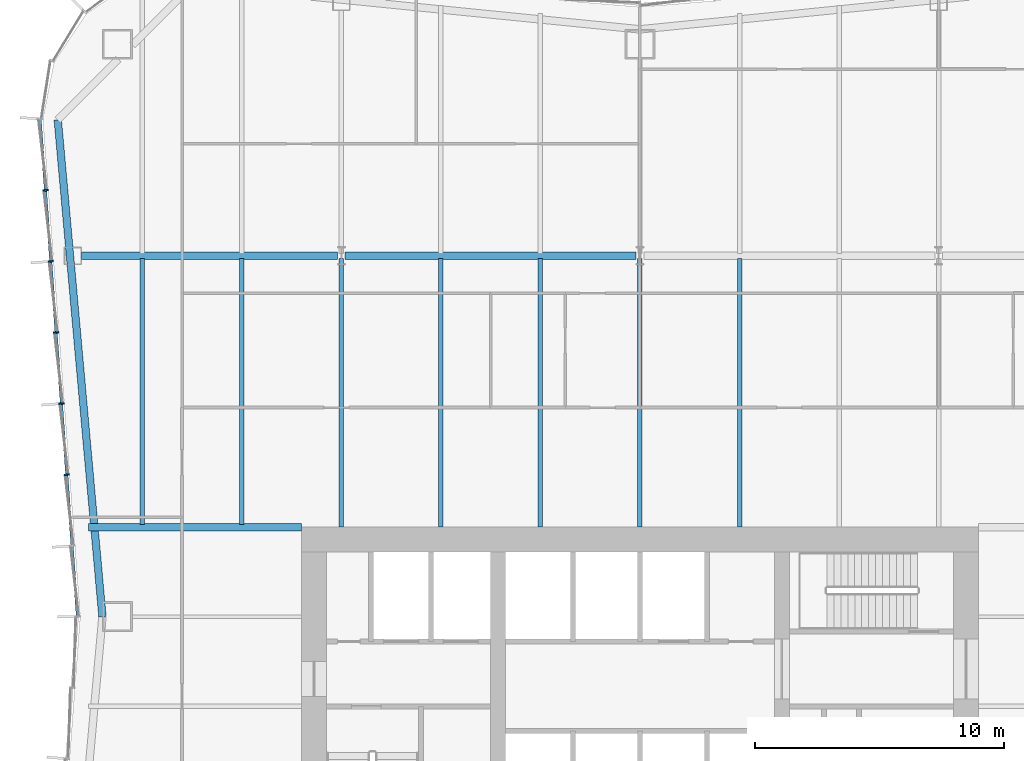
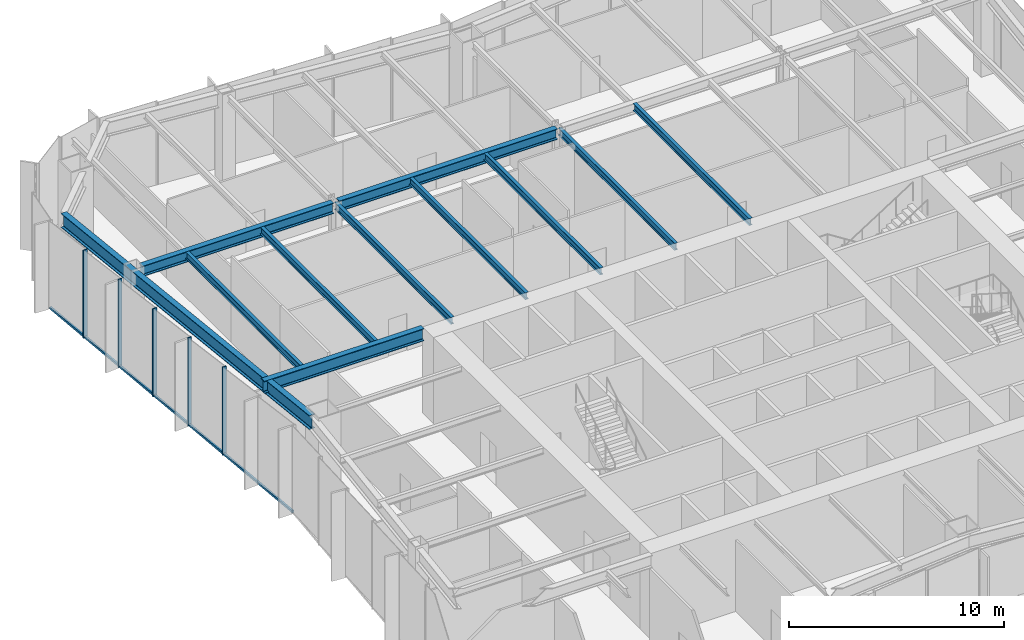
# One storey, part 4 of 15: 11 beams, 6 members, 1 element without a shape of its own.
"""IFC4 building model written with IfcOpenShell, lengths in metres."""

import ifcopenshell
import ifcopenshell.guid

model = None  # the IFC model being written
_history = None  # IfcOwnerHistory: only IFC2X3 demands one
_inside = {}  # id of a spatial element -> (the spatial element, [elements in it])
_under = {}  # id of a project, library or spatial element -> (it, [spatial elements below it])
_declared = {}  # id of a project -> (the project, [libraries it declares])
_typed = {}  # id of a type object -> (the type object, [elements of that type])
_made_of = {}  # id of a material, layer set ... -> (it, [elements and type objects made of it])


def new_model(schema):
    """Start an empty IFC model of exactly this schema.

    Asked for "IFC4X3", IfcOpenShell would pick the latest addendum, in which some entities
    have other attributes; the version numbers below select the first issue.
    IFC2X3 requires an IfcOwnerHistory on every rooted entity: one is made here for all.
    """
    global model, _history
    if schema == "IFC4X3":
        model = ifcopenshell.file(schema_version=(4, 3, 0, 0))
    else:
        model = ifcopenshell.file(schema=schema)
    _inside.clear()
    _under.clear()
    _declared.clear()
    _typed.clear()
    _made_of.clear()
    _history = None
    if model.schema == "IFC2X3":
        org = make("IfcOrganization", Name="unknown")
        user = make(
            "IfcPersonAndOrganization",
            ThePerson=make("IfcPerson", FamilyName="unknown"),
            TheOrganization=org,
        )
        app = make(
            "IfcApplication",
            ApplicationDeveloper=org,
            Version="unknown",
            ApplicationFullName="unknown",
            ApplicationIdentifier="unknown",
        )
        _history = make(
            "IfcOwnerHistory",
            OwningUser=user,
            OwningApplication=app,
            ChangeAction="ADDED",
            CreationDate=0,
        )
    return model


def make(cls, **values):
    """One entity of the class cls with the attributes given. An attribute that is None is left unset."""
    return model.create_entity(
        cls, **{name: value for name, value in values.items() if value is not None}
    )


def rooted(cls, **values):
    """An entity with a GlobalId (a new one), such as an element, a storey or a relation."""
    return make(cls, GlobalId=ifcopenshell.guid.new(), OwnerHistory=_history, **values)


def si_unit(unit_type, name, prefix=None):
    """IfcSIUnit, for example si_unit("LENGTHUNIT", "METRE", prefix="MILLI")."""
    return make("IfcSIUnit", UnitType=unit_type, Prefix=prefix, Name=name)


def assignment(units):
    """IfcUnitAssignment: the units of a project."""
    return None if units is None else make("IfcUnitAssignment", Units=units)


def point(xyz):
    """IfcCartesianPoint."""
    return None if xyz is None else make("IfcCartesianPoint", Coordinates=xyz)


def direction(xyz):
    """IfcDirection."""
    return None if xyz is None else make("IfcDirection", DirectionRatios=xyz)


def frame(location, z_axis=None, x_axis=None):
    """IfcAxis2Placement3D, a coordinate frame: its origin and axes. An axis left out is left unset."""
    return make(
        "IfcAxis2Placement3D",
        Location=point(location),
        Axis=direction(z_axis),
        RefDirection=direction(x_axis),
    )


def frame_2d(location, x_axis=None):
    """IfcAxis2Placement2D, a coordinate frame in the plane: its origin and x axis."""
    return make(
        "IfcAxis2Placement2D", Location=point(location), RefDirection=direction(x_axis)
    )


def origin():
    """The frame at (0, 0, 0) with its axes left unset."""
    return frame((0.0, 0.0, 0.0))


def origin_2d():
    """The frame at (0, 0) in the plane with its x axis left unset."""
    return frame_2d((0.0, 0.0))


def place(relative_to, where):
    """IfcLocalPlacement: puts the frame where relative to a parent placement (None: the world)."""
    return make(
        "IfcLocalPlacement", PlacementRelTo=relative_to, RelativePlacement=where
    )


def context(
    kind, dimensions, precision=None, world=None, true_north=None, identifier=None
):
    """IfcGeometricRepresentationContext, for example the 3D "Model" context."""
    return make(
        "IfcGeometricRepresentationContext",
        ContextIdentifier=identifier,
        ContextType=kind,
        CoordinateSpaceDimension=dimensions,
        Precision=precision,
        WorldCoordinateSystem=world,
        TrueNorth=true_north,
    )


def subcontext(parent, identifier, kind, view, scale=None):
    """IfcGeometricRepresentationSubContext, for example "Body" below "Model"."""
    return make(
        "IfcGeometricRepresentationSubContext",
        ContextIdentifier=identifier,
        ContextType=kind,
        ParentContext=parent,
        TargetScale=scale,
        TargetView=view,
    )


def project(units=None, contexts=None):
    """IfcProject with its units and contexts."""
    return rooted(
        "IfcProject",
        Name="project",
        RepresentationContexts=contexts,
        UnitsInContext=assignment(units),
    )


def spatial(cls, under=None, at=None, **own):
    """A site, building, storey or space (cls), placed at a placement, below another one or the project."""
    s = rooted(cls, ObjectPlacement=at, **own)
    if under is not None:
        _under.setdefault(under.id(), (under, []))[1].append(s)
    return s


def profile(cls, at=None, kind="AREA", **sizes):
    """A parametric profile (cls). Its sizes go by their IFC names, for example OverallWidth=200.0."""
    return make(cls, ProfileType=kind, Position=at, **sizes)


def rectangle(**sizes):
    """IfcRectangleProfileDef."""
    return profile("IfcRectangleProfileDef", **sizes)


def i_section(**sizes):
    """IfcIShapeProfileDef."""
    return profile("IfcIShapeProfileDef", **sizes)


def extrude(swept, where, along, depth):
    """IfcExtrudedAreaSolid: the profile swept, set in the frame where, extruded along a direction by depth."""
    return make(
        "IfcExtrudedAreaSolid",
        SweptArea=swept,
        Position=where,
        ExtrudedDirection=direction(along),
        Depth=depth,
    )


def shape(context_of_items, identifier, shape_type, items):
    """IfcShapeRepresentation: the items that make up one representation, for example the "Body"."""
    return make(
        "IfcShapeRepresentation",
        ContextOfItems=context_of_items,
        RepresentationIdentifier=identifier,
        RepresentationType=shape_type,
        Items=items,
    )


def material(Name=None, Category=None):
    """IfcMaterial."""
    return make("IfcMaterial", Name=Name, Category=Category)


def material_profile(
    of_material, cross_section, Name=None, Category=None, Priority=None
):
    """IfcMaterialProfile: a cross section and its material."""
    return make(
        "IfcMaterialProfile",
        Name=Name,
        Material=of_material,
        Profile=cross_section,
        Priority=Priority,
        Category=Category,
    )


def profile_set(profiles, Name=None, composite=None):
    """IfcMaterialProfileSet."""
    return make(
        "IfcMaterialProfileSet",
        Name=Name,
        MaterialProfiles=profiles,
        CompositeProfile=composite,
    )


def made_of(thing, what):
    """Note that an element or type object is made of a material, layer set ...; save() writes the relation."""
    if what is not None:
        _made_of.setdefault(what.id(), (what, []))[1].append(thing)
    return thing


def type_object(cls, material=None, **own):
    """A type object (cls), such as IfcWallType, which elements share."""
    return made_of(rooted(cls, **own), material)


def element(
    cls,
    number,
    at=None,
    inside=None,
    cuts=None,
    type_object=None,
    material=None,
    context=None,
    identifier="Body",
    shape_type=None,
    held_by="IfcProductDefinitionShape",
    body=None,
    shapes=None,
    **own,
):
    """One element of the class cls, such as IfcWall. Its Tag is "e" and its number.

    at: its placement. inside: the storey or other place that contains it. cuts: it is an
    opening in that element (IfcRelVoidsElement). A single representation is given by context,
    identifier, shape_type and body (its items); several are given by shapes. held_by: the class
    of the entity that holds the representations. save() writes the other relations.
    """
    e = rooted(cls, Tag="e%d" % number, ObjectPlacement=at, **own)
    if body is not None:
        shapes = [shape(context, identifier, shape_type, body)]
    if shapes is not None:
        e.Representation = make(held_by, Representations=shapes)
    if inside is not None:
        _inside.setdefault(inside.id(), (inside, []))[1].append(e)
    if cuts is not None:
        rooted(
            "IfcRelVoidsElement", RelatingBuildingElement=cuts, RelatedOpeningElement=e
        )
    if type_object is not None:
        _typed.setdefault(type_object.id(), (type_object, []))[1].append(e)
    return made_of(e, material)


def aggregate(whole, parts):
    """IfcRelAggregates: a whole, such as a stair, and the parts it consists of."""
    return rooted("IfcRelAggregates", RelatingObject=whole, RelatedObjects=parts)


def save(model, path):
    """Write the relations noted so far, then the file.

    IfcRelAggregates (storeys below a building ...), IfcRelContainedInSpatialStructure (elements
    in a storey), IfcRelDefinesByType, IfcRelAssociatesMaterial and IfcRelDeclares: one each for
    every whole, place, type object, material and project.
    """
    for whole, parts in _under.values():
        aggregate(whole, parts)
    for where, things in _inside.values():
        rooted(
            "IfcRelContainedInSpatialStructure",
            RelatedElements=things,
            RelatingStructure=where,
        )
    for kind, things in _typed.values():
        rooted("IfcRelDefinesByType", RelatedObjects=things, RelatingType=kind)
    for what, things in _made_of.values():
        rooted("IfcRelAssociatesMaterial", RelatedObjects=things, RelatingMaterial=what)
    for by, libraries in _declared.values():
        rooted("IfcRelDeclares", RelatingContext=by, RelatedDefinitions=libraries)
    model.write(path)


model = new_model("IFC4")

# Units and contexts
model_context = context("Model", 3, precision=1e-05, world=origin(), true_north=direction((0.0, 1.0)))
body_context = subcontext(model_context, "Body", "Model", "MODEL_VIEW")
ifc_project = project(units=[si_unit("LENGTHUNIT", "METRE"), si_unit("AREAUNIT", "SQUARE_METRE"), si_unit("VOLUMEUNIT", "CUBIC_METRE"), si_unit("PLANEANGLEUNIT", "RADIAN"), si_unit("MASSUNIT", "GRAM", prefix="KILO")], contexts=[model_context])

# Site, building, storey
site_placement = place(None, origin())
site = spatial("IfcSite", under=ifc_project, at=site_placement, CompositionType="ELEMENT")
building_placement = place(site_placement, origin())
building = spatial("IfcBuilding", under=site, at=building_placement, Name="Verdant Reach Tower", CompositionType="ELEMENT")
storey_placement = place(building_placement, frame((0.0, 0.0, 121.0)))
storey = spatial("IfcBuildingStorey", under=building, at=storey_placement, Name="L27", CompositionType="ELEMENT", Elevation=121.0)

# Curtain wall, members
ifc_material_1 = material(Name="Anodised aluminium", Category="aluminium")
curtain_wall_type = type_object("IfcCurtainWallType", Name="EN-CW SYSTEM Z2", PredefinedType="NOTDEFINED", material=ifc_material_1)
curtain_wall_placement = place(storey_placement, origin())
curtain_wall = element("IfcCurtainWall", 1, at=curtain_wall_placement, inside=storey, type_object=curtain_wall_type, Name="Curtain wall west, L27", PredefinedType="NOTDEFINED")
ifc_material_profile_1 = material_profile(ifc_material_1, rectangle(XDim=0.2119140625, YDim=0.06396484375, at=origin_2d()), Name="Mullion 64x212")
ifc_profile_set_1 = profile_set([ifc_material_profile_1], Name="Anodised aluminium")
member_type_1 = type_object("IfcMemberType", Name="EN-MULLION Z2", PredefinedType="MULLION", material=ifc_profile_set_1)
member_1_placement = place(storey_placement, frame((-23.891357421875, 52.135009765625, -0.35009765625), z_axis=(0.0, 0.0, 1.0), x_axis=(-0.997199309888, -0.074789948245, 0.0)))
member_1 = element("IfcMember", 2, at=member_1_placement, type_object=member_type_1, Name="Mullion west face part 1 2, L27", PredefinedType="MULLION", context=body_context, shape_type="SweptSolid", body=[
    extrude(rectangle(XDim=0.2119140625, YDim=0.06396484375, at=origin_2d()), origin(), (0.0, 0.0, 1.0), 5.0),
])
member_2_placement = place(storey_placement, frame((-23.67724609375, 49.27783203125, -0.35009765625), z_axis=(0.0, 0.0, 1.0), x_axis=(-0.997199309888, -0.074789948245, 0.0)))
member_2 = element("IfcMember", 3, at=member_2_placement, type_object=member_type_1, Name="Mullion west face part 1 3, L27", PredefinedType="MULLION", context=body_context, shape_type="SweptSolid", body=[
    extrude(rectangle(XDim=0.2119140625, YDim=0.06396484375, at=origin_2d()), origin(), (0.0, 0.0, 1.0), 5.0),
])
member_3_placement = place(storey_placement, frame((-23.462890625, 46.420654296875, -0.35009765625), z_axis=(0.0, 0.0, 1.0), x_axis=(-0.997199309888, -0.074789948245, 0.0)))
member_3 = element("IfcMember", 4, at=member_3_placement, type_object=member_type_1, Name="Mullion west face part 1 4, L27", PredefinedType="MULLION", context=body_context, shape_type="SweptSolid", body=[
    extrude(rectangle(XDim=0.2119140625, YDim=0.06396484375, at=origin_2d()), origin(), (0.0, 0.0, 1.0), 5.0),
])
member_4_placement = place(storey_placement, frame((-23.24853515625, 43.5634765625, -0.35009765625), z_axis=(0.0, 0.0, 1.0), x_axis=(-0.997199309888, -0.074789948245, 0.0)))
member_4 = element("IfcMember", 5, at=member_4_placement, type_object=member_type_1, Name="Mullion west face part 1 5, L27", PredefinedType="MULLION", context=body_context, shape_type="SweptSolid", body=[
    extrude(rectangle(XDim=0.2119140625, YDim=0.06396484375, at=origin_2d()), origin(), (0.0, 0.0, 1.0), 5.0),
])
member_5_placement = place(storey_placement, frame((-23.0341796875, 40.706298828125, -0.35009765625), z_axis=(0.0, 0.0, 1.0), x_axis=(-0.997199309888, -0.074789948245, 0.0)))
member_5 = element("IfcMember", 6, at=member_5_placement, type_object=member_type_1, Name="Mullion west face part 1 6, L27", PredefinedType="MULLION", context=body_context, shape_type="SweptSolid", body=[
    extrude(rectangle(XDim=0.2119140625, YDim=0.06396484375, at=origin_2d()), origin(), (0.0, 0.0, 1.0), 5.0),
])
ifc_material_profile_2 = material_profile(ifc_material_1, rectangle(XDim=0.10009765625, YDim=0.1240234375, at=origin_2d()), Name="Transom 124x100")
ifc_profile_set_2 = profile_set([ifc_material_profile_2], Name="Anodised aluminium")
member_type_2 = type_object("IfcMemberType", Name="EN-TRANSOM Z2", PredefinedType="USERDEFINED", material=ifc_profile_set_2)
member_6_placement = place(storey_placement, frame((-24.103515625, 54.974609375, -0.2880859375), z_axis=(0.07476111665, -0.997201471839, 0.0), x_axis=(0.997201471839, 0.07476111665, 0.0)))
member_6 = element("IfcMember", 7, at=member_6_placement, type_object=member_type_2, Name="Transom west face part 1 1.1, L27", ObjectType="TRANSOM", PredefinedType="USERDEFINED", context=body_context, shape_type="SweptSolid", body=[
    extrude(rectangle(XDim=0.10009765625, YDim=0.1240234375, at=origin_2d()), origin(), (0.0, 0.0, 1.0), 19.99853515625),
])
aggregate(curtain_wall, [member_1, member_2, member_3, member_4, member_5, member_6])

# Beams
ifc_material_2 = material(Name="Steel S355", Category="steel")
ifc_material_profile_3 = material_profile(ifc_material_2, i_section(OverallWidth=0.300048828125, OverallDepth=0.60009765625, WebThickness=0.015380859375, FlangeThickness=0.030029296875, FilletRadius=0.027099609375, at=origin_2d()), Name="HEB 600")
ifc_profile_set_3 = profile_set([ifc_material_profile_3], Name="Steel S355")
beam_type_1 = type_object("IfcBeamType", Name="ST-BEAM-HEB600", PredefinedType="BEAM", material=ifc_profile_set_3)
beam_1_placement = place(storey_placement, frame((-22.4375, 49.5, 4.570068359375), z_axis=(1.0, 0.0, 0.0), x_axis=(0.0, 1.0, 0.0)))
element("IfcBeam", 8, at=beam_1_placement, inside=storey, type_object=beam_type_1, Name="Row girder, L27", PredefinedType="BEAM", context=body_context, shape_type="SweptSolid", body=[
    extrude(i_section(OverallWidth=0.300048828125, OverallDepth=0.60009765625, WebThickness=0.015380859375, FlangeThickness=0.030029296875, FilletRadius=0.027099609375, at=origin_2d()), origin(), (0.0, 0.0, 1.0), 10.283447265625),
])
beam_2_placement = place(storey_placement, frame((-11.845947265625, 49.5, 4.570068359375), z_axis=(1.0, 0.0, 0.0), x_axis=(0.0, 1.0, 0.0)))
element("IfcBeam", 9, at=beam_2_placement, inside=storey, type_object=beam_type_1, Name="Row girder, L27", PredefinedType="BEAM", context=body_context, shape_type="SweptSolid", body=[
    extrude(i_section(OverallWidth=0.300048828125, OverallDepth=0.60009765625, WebThickness=0.015380859375, FlangeThickness=0.030029296875, FilletRadius=0.027099609375, at=origin_2d()), origin(), (0.0, 0.0, 1.0), 11.69189453125),
])
ifc_material_profile_4 = material_profile(ifc_material_2, i_section(OverallWidth=0.300048828125, OverallDepth=0.699951171875, WebThickness=0.01708984375, FlangeThickness=0.031982421875, FilletRadius=0.027099609375, at=origin_2d()), Name="HEB 700")
ifc_profile_set_4 = profile_set([ifc_material_profile_4], Name="Steel S355")
beam_type_2 = type_object("IfcBeamType", Name="ST-BEAM-HEB700", PredefinedType="BEAM", material=ifc_profile_set_4)
beam_3_placement = place(storey_placement, frame((-13.60009765625, 38.60009765625, 4.52001953125), z_axis=(-1.0, 0.0, 0.0), x_axis=(0.0, -1.0, 0.0)))
element("IfcBeam", 10, at=beam_3_placement, inside=storey, type_object=beam_type_2, Name="Trimmer beam, L27", PredefinedType="BEAM", context=body_context, shape_type="SweptSolid", body=[
    extrude(i_section(OverallWidth=0.300048828125, OverallDepth=0.699951171875, WebThickness=0.01708984375, FlangeThickness=0.031982421875, FilletRadius=0.027099609375, at=origin_2d()), origin(), (0.0, 0.0, 1.0), 8.568115234375),
])
ifc_material_profile_5 = material_profile(ifc_material_2, i_section(OverallWidth=0.179931640625, OverallDepth=0.39990234375, WebThickness=0.008544921875, FlangeThickness=0.013427734375, FilletRadius=0.02099609375, at=origin_2d()), Name="IPE 400")
ifc_profile_set_5 = profile_set([ifc_material_profile_5], Name="Steel S355")
beam_type_3 = type_object("IfcBeamType", Name="ST-JOIST-IPE400", PredefinedType="JOIST", material=ifc_profile_set_5)
for number, where, z_axis, x_axis, name in (
    (11, (-20.0, 38.699951171875, 4.669921875), (0.0, 1.0, 0.0), (-1.0, 0.0, 0.0), "Floor joist, L27"),
    (12, (-16.0, 38.699951171875, 4.669921875), (0.0, 1.0, 0.0), (-1.0, 0.0, 0.0), "Floor joist, L27"),
):
    element("IfcBeam", number, at=place(storey_placement, frame(where, z_axis=z_axis, x_axis=x_axis)), inside=storey, type_object=beam_type_3, Name=name, PredefinedType="JOIST", context=body_context, shape_type="SweptSolid", body=[
        extrude(i_section(OverallWidth=0.179931640625, OverallDepth=0.39990234375, WebThickness=0.008544921875, FlangeThickness=0.013427734375, FilletRadius=0.02099609375, at=origin_2d()), origin(), (0.0, 0.0, 1.0), 10.699951171875),
    ])
for number, where, z_axis, x_axis, name in (
    (13, (-12.0, 38.60009765625, 4.669921875), (0.0, 1.0, 0.0), (-1.0, 0.0, 0.0), "Floor joist, L27"),
    (14, (-8.0, 38.60009765625, 4.669921875), (0.0, 1.0, 0.0), (-1.0, 0.0, 0.0), "Floor joist, L27"),
    (15, (-4.0, 38.60009765625, 4.669921875), (0.0, 1.0, 0.0), (-1.0, 0.0, 0.0), "Floor joist, L27"),
    (16, (0.0, 38.60009765625, 4.669921875), (0.0, 1.0, 0.0), (-1.0, 0.0, 0.0), "Floor joist, L27"),
    (17, (4.0, 38.60009765625, 4.669921875), (0.0, 1.0, 0.0), (-1.0, 0.0, 0.0), "Floor joist, L27"),
):
    element("IfcBeam", number, at=place(storey_placement, frame(where, z_axis=z_axis, x_axis=x_axis)), inside=storey, type_object=beam_type_3, Name=name, PredefinedType="JOIST", context=body_context, shape_type="SweptSolid", body=[
        extrude(i_section(OverallWidth=0.179931640625, OverallDepth=0.39990234375, WebThickness=0.008544921875, FlangeThickness=0.013427734375, FilletRadius=0.02099609375, at=origin_2d()), origin(), (0.0, 0.0, 1.0), 10.7998046875),
    ])
ifc_material_profile_6 = material_profile(ifc_material_2, i_section(OverallWidth=0.300048828125, OverallDepth=0.800048828125, WebThickness=0.017578125, FlangeThickness=0.032958984375, FilletRadius=0.030029296875, at=origin_2d()), Name="HEB 800")
ifc_profile_set_6 = profile_set([ifc_material_profile_6], Name="Steel S355")
beam_type_4 = type_object("IfcBeamType", Name="ST-SPANDREL-HEB800", PredefinedType="SPANDREL", material=ifc_profile_set_6)
beam_4_placement = place(storey_placement, frame((-21.60009765625, 35.0, 4.469970703125), z_axis=(-0.089574749266, 0.995980102358, 0.0), x_axis=(-0.995980102358, -0.089574749266, 0.0)))
element("IfcBeam", 18, at=beam_4_placement, inside=storey, type_object=beam_type_4, Name="Edge beam, L27", PredefinedType="SPANDREL", context=body_context, shape_type="SweptSolid", body=[
    extrude(i_section(OverallWidth=0.300048828125, OverallDepth=0.800048828125, WebThickness=0.017578125, FlangeThickness=0.032958984375, FilletRadius=0.030029296875, at=origin_2d()), origin(), (0.0, 0.0, 1.0), 20.043701171875),
])

save(model, "model.ifc")
